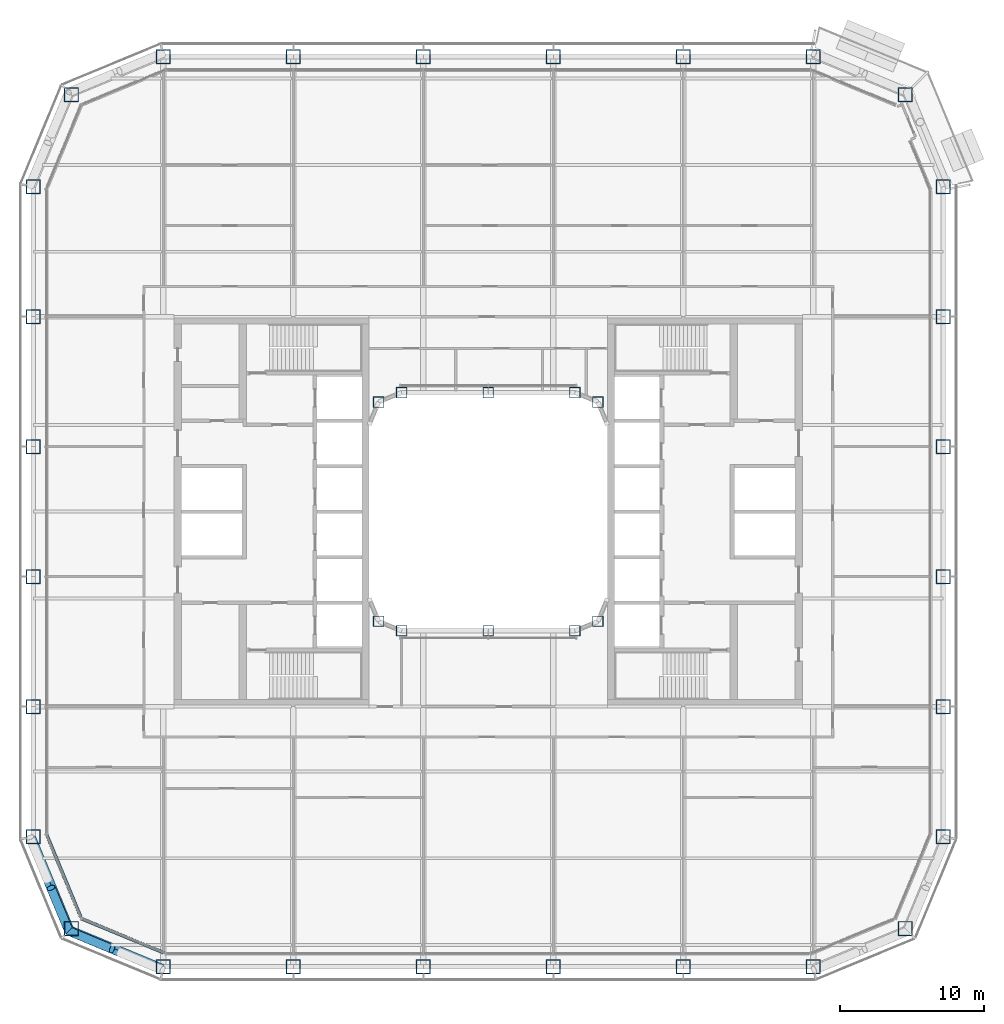
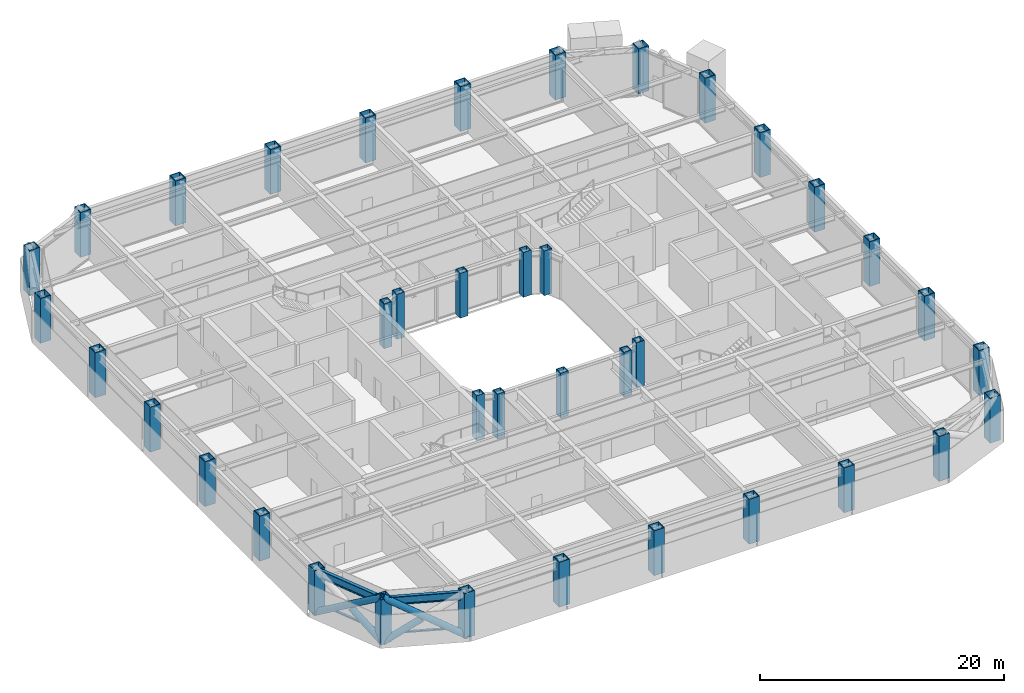
# One storey, part 1 of 30: 38 columns, 6 members, 2 beams, 2 elements without a shape of their own.
"""IFC4 building model written with IfcOpenShell, lengths in metres."""

from ifc_helpers import new_model, si_unit, direction, frame, origin, origin_2d, place, context, subcontext, project, spatial, rectangle, hollow_rectangle, hollow_circle, i_section, extrude, material, layer, layer_set, material_profile, profile_set, type_object, element, aggregate, save


model = new_model("IFC4")

# Units and contexts
model_context = context("Model", 3, precision=1e-05, world=origin(), true_north=direction((0.0, 1.0)))
body_context = subcontext(model_context, "Body", "Model", "MODEL_VIEW")
ifc_project = project(units=[si_unit("LENGTHUNIT", "METRE"), si_unit("AREAUNIT", "SQUARE_METRE"), si_unit("VOLUMEUNIT", "CUBIC_METRE"), si_unit("PLANEANGLEUNIT", "RADIAN"), si_unit("MASSUNIT", "GRAM", prefix="KILO")], contexts=[model_context])

# Site, building, storey
site_placement = place(None, origin())
site = spatial("IfcSite", under=ifc_project, at=site_placement, CompositionType="ELEMENT")
building_placement = place(site_placement, origin())
building = spatial("IfcBuilding", under=site, at=building_placement, Name="Siwar Civic Tower", CompositionType="ELEMENT")
storey_placement = place(building_placement, frame((0.0, 0.0, 62.699951171875)))
storey = spatial("IfcBuildingStorey", under=building, at=storey_placement, Name="L13", CompositionType="ELEMENT", Elevation=62.699951171875)

# Columns
ifc_material_1 = material(Name="Steel S460", Category="steel")
ifc_material_profile_1 = material_profile(ifc_material_1, hollow_rectangle(XDim=1.0, YDim=1.0, WallThickness=0.06005859375, at=origin_2d()), Name="BOX1000x1000x60")
ifc_profile_set_1 = profile_set([ifc_material_profile_1], Name="Steel S460")
column_type_1 = type_object("IfcColumnType", Name="STR-COL-BOX1000x1000x60", PredefinedType="COLUMN", material=ifc_profile_set_1)
for number, where, z_axis, x_axis, name in (
    (1, (-22.5, -31.5, 0.0), (0.0, 0.0, 1.0), (1.0, 0.0, 0.0), "L13/col/S-0"),
    (2, (-13.5, -31.5, 0.0), (0.0, 0.0, 1.0), (1.0, 0.0, 0.0), "L13/col/S-1"),
    (3, (-4.5, -31.5, 0.0), (0.0, 0.0, 1.0), (1.0, 0.0, 0.0), "L13/col/S-2"),
    (4, (4.5, -31.5, 0.0), (0.0, 0.0, 1.0), (1.0, 0.0, 0.0), "L13/col/S-3"),
    (5, (13.5, -31.5, 0.0), (0.0, 0.0, 1.0), (1.0, 0.0, 0.0), "L13/col/S-4"),
    (6, (22.5, -31.5, 0.0), (0.0, 0.0, 1.0), (1.0, 0.0, 0.0), "L13/col/SE1-0"),
    (7, (28.864013671875, -28.864013671875, 0.0), (0.0, 0.0, 1.0), (1.0, 0.0, 0.0), "L13/col/SE2-0"),
    (8, (31.5, -22.5, 0.0), (0.0, 0.0, 1.0), (1.0, 0.0, 0.0), "L13/col/E-0"),
    (9, (31.5, -13.5, 0.0), (0.0, 0.0, 1.0), (1.0, 0.0, 0.0), "L13/col/E-1"),
    (10, (31.5, -4.5, 0.0), (0.0, 0.0, 1.0), (1.0, 0.0, 0.0), "L13/col/E-2"),
    (11, (31.5, 4.5, 0.0), (0.0, 0.0, 1.0), (1.0, 0.0, 0.0), "L13/col/E-3"),
    (12, (31.5, 13.5, 0.0), (0.0, 0.0, 1.0), (1.0, 0.0, 0.0), "L13/col/E-4"),
    (13, (31.5, 22.5, 0.0), (0.0, 0.0, 1.0), (1.0, 0.0, 0.0), "L13/col/NE1-0"),
    (14, (28.864013671875, 28.864013671875, 0.0), (0.0, 0.0, 1.0), (1.0, 0.0, 0.0), "L13/col/NE2-0"),
    (15, (22.5, 31.5, 0.0), (0.0, 0.0, 1.0), (1.0, 0.0, 0.0), "L13/col/N-0"),
    (16, (13.5, 31.5, 0.0), (0.0, 0.0, 1.0), (1.0, 0.0, 0.0), "L13/col/N-1"),
    (17, (4.5, 31.5, 0.0), (0.0, 0.0, 1.0), (1.0, 0.0, 0.0), "L13/col/N-2"),
    (18, (-4.5, 31.5, 0.0), (0.0, 0.0, 1.0), (1.0, 0.0, 0.0), "L13/col/N-3"),
    (19, (-13.5, 31.5, 0.0), (0.0, 0.0, 1.0), (1.0, 0.0, 0.0), "L13/col/N-4"),
    (20, (-22.5, 31.5, 0.0), (0.0, 0.0, 1.0), (1.0, 0.0, 0.0), "L13/col/NW1-0"),
    (21, (-28.864013671875, 28.864013671875, 0.0), (0.0, 0.0, 1.0), (1.0, 0.0, 0.0), "L13/col/NW2-0"),
    (22, (-31.5, 22.5, 0.0), (0.0, 0.0, 1.0), (1.0, 0.0, 0.0), "L13/col/W-0"),
    (23, (-31.5, 13.5, 0.0), (0.0, 0.0, 1.0), (1.0, 0.0, 0.0), "L13/col/W-1"),
    (24, (-31.5, 4.5, 0.0), (0.0, 0.0, 1.0), (1.0, 0.0, 0.0), "L13/col/W-2"),
    (25, (-31.5, -4.5, 0.0), (0.0, 0.0, 1.0), (1.0, 0.0, 0.0), "L13/col/W-3"),
    (26, (-31.5, -13.5, 0.0), (0.0, 0.0, 1.0), (1.0, 0.0, 0.0), "L13/col/W-4"),
    (27, (-31.5, -22.5, 0.0), (0.0, 0.0, 1.0), (1.0, 0.0, 0.0), "L13/col/SW1-0"),
    (28, (-28.864013671875, -28.864013671875, 0.0), (0.0, 0.0, 1.0), (1.0, 0.0, 0.0), "L13/col/SW2-0"),
):
    element("IfcColumn", number, at=place(storey_placement, frame(where, z_axis=z_axis, x_axis=x_axis)), inside=storey, type_object=column_type_1, Name=name, PredefinedType="COLUMN", context=body_context, shape_type="SweptSolid", body=[
        extrude(hollow_rectangle(XDim=1.0, YDim=1.0, WallThickness=0.06005859375, at=origin_2d()), origin(), (0.0, 0.0, 1.0), 4.5),
    ])
ifc_material_2 = material(Name="Steel S355", Category="steel")
ifc_material_profile_2 = material_profile(ifc_material_2, hollow_rectangle(XDim=0.75, YDim=0.75, WallThickness=0.044921875, at=origin_2d()), Name="BOX750x750x45")
ifc_profile_set_2 = profile_set([ifc_material_profile_2], Name="Steel S355")
column_type_2 = type_object("IfcColumnType", Name="STR-ICOL-BOX750x750x45", PredefinedType="COLUMN", material=ifc_profile_set_2)
for number, where, z_axis, x_axis, name in (
    (29, (-7.591064453125, -7.591064453125, 0.0), (0.0, 0.0, 1.0), (1.0, 0.0, 0.0), "L13/col/IS-0"),
    (30, (-6.0, -8.25, 0.0), (0.0, 0.0, 1.0), (1.0, 0.0, 0.0), "L13/col/IS-1"),
    (31, (0.0, -8.25, 0.0), (0.0, 0.0, 1.0), (1.0, 0.0, 0.0), "L13/col/IS-2"),
    (32, (6.0, -8.25, 0.0), (0.0, 0.0, 1.0), (1.0, 0.0, 0.0), "L13/col/IS-3"),
    (33, (7.591064453125, -7.591064453125, 0.0), (0.0, 0.0, 1.0), (1.0, 0.0, 0.0), "L13/col/IS-4"),
    (34, (-7.591064453125, 7.591064453125, 0.0), (0.0, 0.0, 1.0), (1.0, 0.0, 0.0), "L13/col/IN-0"),
    (35, (-6.0, 8.25, 0.0), (0.0, 0.0, 1.0), (1.0, 0.0, 0.0), "L13/col/IN-1"),
    (36, (0.0, 8.25, 0.0), (0.0, 0.0, 1.0), (1.0, 0.0, 0.0), "L13/col/IN-2"),
    (37, (6.0, 8.25, 0.0), (0.0, 0.0, 1.0), (1.0, 0.0, 0.0), "L13/col/IN-3"),
    (38, (7.591064453125, 7.591064453125, 0.0), (0.0, 0.0, 1.0), (1.0, 0.0, 0.0), "L13/col/IN-4"),
):
    element("IfcColumn", number, at=place(storey_placement, frame(where, z_axis=z_axis, x_axis=x_axis)), inside=storey, type_object=column_type_2, Name=name, PredefinedType="COLUMN", context=body_context, shape_type="SweptSolid", body=[
        extrude(hollow_rectangle(XDim=0.75, YDim=0.75, WallThickness=0.044921875, at=origin_2d()), origin(), (0.0, 0.0, 1.0), 4.5),
    ])

# Curtain wall, member
ifc_material_3 = material(Name="Aluminium clad insulated panel", Category="aluminium")
ifc_layer = layer(ifc_material_3, 0.219970703125)
ifc_layer_set = layer_set([ifc_layer], Name="Aluminium clad insulated panel")
curtain_wall_type = type_object("IfcCurtainWallType", Name="ENV-CW-AX", PredefinedType="NOTDEFINED", material=ifc_layer_set)
curtain_wall_1_placement = place(storey_placement, origin())
curtain_wall_1 = element("IfcCurtainWall", 39, at=curtain_wall_1_placement, inside=storey, type_object=curtain_wall_type, Name="Curtain wall A SW1", PredefinedType="NOTDEFINED")
ifc_material_4 = material(Name="Aluminium 6063-T6", Category="aluminium")
ifc_material_profile_3 = material_profile(ifc_material_4, rectangle(XDim=0.219970703125, YDim=0.1201171875, at=origin_2d()), Name="AL 220x120")
ifc_profile_set_3 = profile_set([ifc_material_profile_3], Name="Aluminium 6063-T6")
member_type_1 = type_object("IfcMemberType", Name="ENV-TRANSOM-A", PredefinedType="USERDEFINED", material=ifc_profile_set_3)
member_1_placement = place(storey_placement, frame((-30.586669921875, -22.353271484375, 0.06005859375), z_axis=(0.382698415042, -0.923873326341, 0.0), x_axis=(0.923873326341, 0.382698415042, 0.0)))
member_1 = element("IfcMember", 40, at=member_1_placement, type_object=member_type_1, Name="Transom A SW1 1", ObjectType="TRANSOM", PredefinedType="USERDEFINED", context=body_context, shape_type="SweptSolid", body=[
    extrude(rectangle(XDim=0.219970703125, YDim=0.1201171875, at=origin_2d()), origin(), (0.0, 0.0, 1.0), 6.17919921875),
])
aggregate(curtain_wall_1, [member_1])

curtain_wall_2_placement = place(storey_placement, origin())
curtain_wall_2 = element("IfcCurtainWall", 41, at=curtain_wall_2_placement, inside=storey, type_object=curtain_wall_type, Name="Curtain wall A SW2", PredefinedType="NOTDEFINED")
member_2_placement = place(storey_placement, frame((-28.142822265625, -28.1884765625, 0.06005859375), z_axis=(0.923873326341, -0.382698415042, 0.0), x_axis=(0.382698415042, 0.923873326341, 0.0)))
member_2 = element("IfcMember", 42, at=member_2_placement, type_object=member_type_1, Name="Transom A SW2 1", ObjectType="TRANSOM", PredefinedType="USERDEFINED", context=body_context, shape_type="SweptSolid", body=[
    extrude(rectangle(XDim=0.219970703125, YDim=0.1201171875, at=origin_2d()), origin(), (0.0, 0.0, 1.0), 6.17919921875),
])
aggregate(curtain_wall_2, [member_2])

# Members
ifc_material_5 = material(Name="Steel S355", Category="steel")
ifc_material_profile_4 = material_profile(ifc_material_5, hollow_circle(Radius=0.304931640625, WallThickness=0.030029296875, at=origin_2d()), Name="CHS610x30")
ifc_profile_set_4 = profile_set([ifc_material_profile_4], Name="Steel S355")
member_type_2 = type_object("IfcMemberType", Name="STR-BR-CHS610x30", PredefinedType="BRACE", material=ifc_profile_set_4)
member_3_placement = place(storey_placement, frame((-22.548828125, -31.7451171875, 0.0), z_axis=(-0.777554562952, 0.323905527954, 0.538975055633), x_axis=(-0.384538969033, -0.923108759191, 0.0)))
element("IfcMember", 43, at=member_3_placement, inside=storey, type_object=member_type_2, Name="L13/brc/ASW1-12-0-1", PredefinedType="BRACE", context=body_context, shape_type="SweptSolid", body=[
    extrude(hollow_circle(Radius=0.304931640625, WallThickness=0.030029296875, at=origin_2d()), origin(), (0.0, 0.0, 1.0), 8.34912109375),
])
member_4_placement = place(storey_placement, frame((-29.040771484375, -29.040771484375, 0.0), z_axis=(0.777542179573, -0.323922979564, 0.53898243227), x_axis=(0.384561842466, 0.923099230484, 0.0)))
element("IfcMember", 44, at=member_4_placement, inside=storey, type_object=member_type_2, Name="L13/brc/ASW1-12-0-2", PredefinedType="BRACE", context=body_context, shape_type="SweptSolid", body=[
    extrude(hollow_circle(Radius=0.304931640625, WallThickness=0.030029296875, at=origin_2d()), origin(), (0.0, 0.0, 1.0), 3.84375),
])
member_5_placement = place(storey_placement, frame((-31.7451171875, -22.548828125, 0.0), z_axis=(0.323905527954, -0.777554562952, 0.538975055633), x_axis=(0.923108759191, 0.384538969033, 0.0)))
element("IfcMember", 45, at=member_5_placement, inside=storey, type_object=member_type_2, Name="L13/brc/ASW1-12-0-0", PredefinedType="BRACE", context=body_context, shape_type="SweptSolid", body=[
    extrude(hollow_circle(Radius=0.304931640625, WallThickness=0.030029296875, at=origin_2d()), origin(), (0.0, 0.0, 1.0), 8.34912109375),
])
member_6_placement = place(storey_placement, frame((-29.040771484375, -29.040771484375, 0.0), z_axis=(-0.323922979564, 0.777542179573, 0.53898243227), x_axis=(-0.923099230484, -0.384561842466, 0.0)))
element("IfcMember", 46, at=member_6_placement, inside=storey, type_object=member_type_2, Name="L13/brc/ASW1-12-0-4", PredefinedType="BRACE", context=body_context, shape_type="SweptSolid", body=[
    extrude(hollow_circle(Radius=0.304931640625, WallThickness=0.030029296875, at=origin_2d()), origin(), (0.0, 0.0, 1.0), 3.84375),
])

# Beams
ifc_material_6 = material(Name="Steel S355", Category="steel")
ifc_material_profile_5 = material_profile(ifc_material_6, i_section(OverallWidth=0.302978515625, OverallDepth=0.81396484375, WebThickness=0.02099609375, FlangeThickness=0.0400390625, FilletRadius=0.030029296875, at=origin_2d()), Name="HEM800")
ifc_profile_set_5 = profile_set([ifc_material_profile_5], Name="Steel S355")
beam_type = type_object("IfcBeamType", Name="STR-SB-HEM800", PredefinedType="BEAM", material=ifc_profile_set_5)
for number, where, z_axis, x_axis, name in (
    (47, (-31.5, -22.5, 3.943115234375), (0.382674207535, -0.923883353507, 0.0), (0.923883353507, 0.382674207535, 0.0), "L13/bm/SSW1-0"),
    (48, (-28.864013671875, -28.864013671875, 3.943115234375), (0.923883353507, -0.382674207535, 0.0), (0.382674207535, 0.923883353507, 0.0), "L13/bm/SSW2-0"),
):
    element("IfcBeam", number, at=place(storey_placement, frame(where, z_axis=z_axis, x_axis=x_axis)), inside=storey, type_object=beam_type, Name=name, PredefinedType="BEAM", context=body_context, shape_type="SweptSolid", body=[
        extrude(i_section(OverallWidth=0.302978515625, OverallDepth=0.81396484375, WebThickness=0.02099609375, FlangeThickness=0.0400390625, FilletRadius=0.030029296875, at=origin_2d()), origin(), (0.0, 0.0, 1.0), 6.888427734375),
    ])

save(model, "model.ifc")
